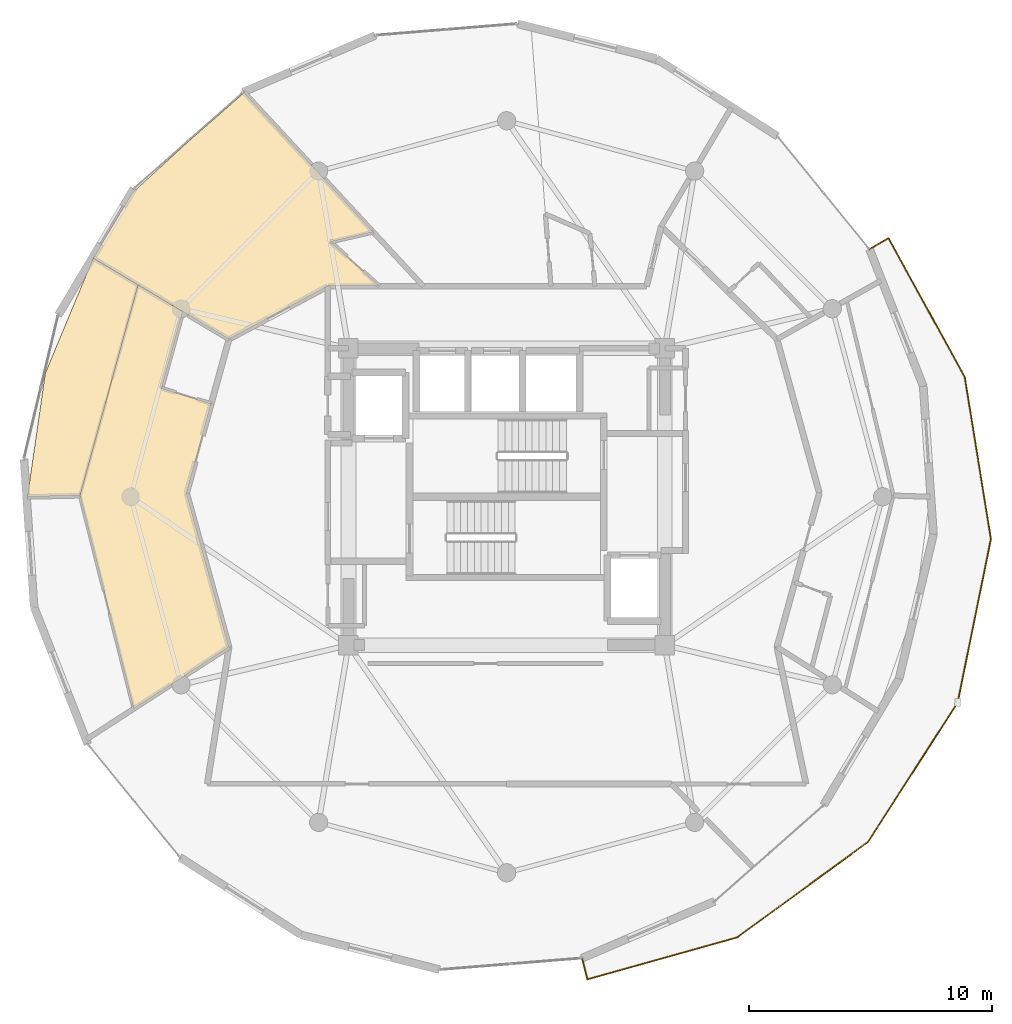
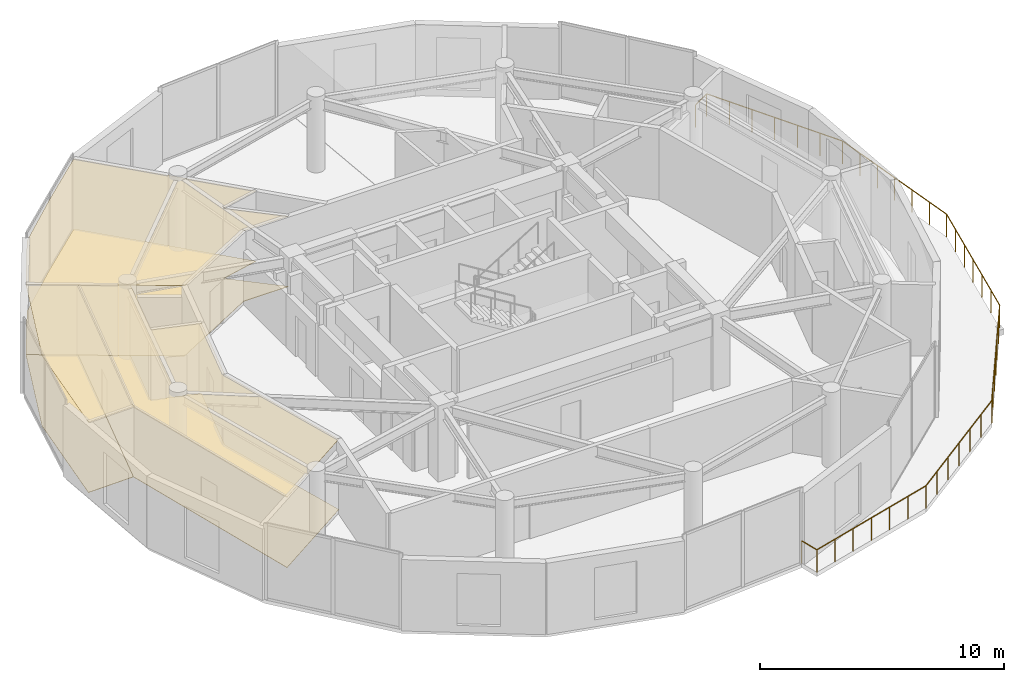
# One storey, part 21 of 22: 6 coverings, 1 railing.
"""IFC4 building model written with IfcOpenShell, lengths in metres."""

from ifc_helpers import new_model, si_unit, direction, frame, origin, origin_2d, place, context, subcontext, project, spatial, polyline, circle, outline, extrude, material, layer, layer_set, type_object, element, save


model = new_model("IFC4")

# Units and contexts
model_context = context("Model", 3, precision=1e-05, world=origin(), true_north=direction((0.0, 1.0)))
body_context = subcontext(model_context, "Body", "Model", "MODEL_VIEW")
ifc_project = project(units=[si_unit("LENGTHUNIT", "METRE"), si_unit("AREAUNIT", "SQUARE_METRE"), si_unit("VOLUMEUNIT", "CUBIC_METRE"), si_unit("PLANEANGLEUNIT", "RADIAN"), si_unit("MASSUNIT", "GRAM", prefix="KILO")], contexts=[model_context])

# Site, building, storey
site_placement = place(None, origin())
site = spatial("IfcSite", under=ifc_project, at=site_placement, CompositionType="ELEMENT")
building_placement = place(site_placement, origin())
building = spatial("IfcBuilding", under=site, at=building_placement, Name="Solvirekh Grand Hotel", CompositionType="ELEMENT")
storey_placement = place(building_placement, frame((0.0, 0.0, 293.39990234375)))
storey = spatial("IfcBuildingStorey", under=building, at=storey_placement, Name="L76", CompositionType="ELEMENT", Elevation=293.39990234375)

# Coverings
ifc_material_1 = material(Name="Acoustic Mineral Ceiling Tile")
ifc_layer_1 = layer(ifc_material_1, 0.02490234375)
ifc_layer_set_1 = layer_set([ifc_layer_1], Name="Acoustic Mineral Ceiling Tile")
covering_type_1 = type_object("IfcCoveringType", Name="Cov_Ceiling_Acoustic", PredefinedType="CEILING", material=ifc_layer_set_1)
covering_1_placement = place(storey_placement, frame((0.0, 0.0, 3.52001953125)))
element("IfcCovering", 1, at=covering_1_placement, inside=storey, type_object=covering_type_1, Name="L76 Deluxe Guestroom 7802 acoustic ceiling", PredefinedType="CEILING", context=body_context, shape_type="SweptSolid", body=[
    extrude(outline(polyline([(-5.22802734375, 8.64990234375), (-7.236083984375, 10.472900390625), (-5.48193359375, 10.8779296875), (-3.419921875, 8.64990234375), (-10.784912109375, 16.60791015625), (-13.114990234375, 14.56591796875), (-15.39794921875, 12.468994140625), (-16.986083984375, 9.806884765625), (-11.407958984375, 6.47509765625), (-7.35009765625, 8.64990234375), (-5.22802734375, 8.64990234375)])), origin(), (0.0, 0.0, 1.0), 0.01806640625),
])
covering_2_placement = place(storey_placement, frame((0.0, 0.0, 3.52001953125)))
element("IfcCovering", 2, at=covering_2_placement, inside=storey, type_object=covering_type_1, Name="L76 Executive Suite 7803 Living Room acoustic ceiling", PredefinedType="CEILING", context=body_context, shape_type="SweptSolid", body=[
    extrude(outline(polyline([(-14.174072265625, 4.4541015625), (-13.304931640625, 7.60791015625), (-15.14501953125, 8.70703125), (-17.531982421875, 0.049072265625), (-15.322998046875, -8.7119140625), (-11.407958984375, -6.175048828125), (-13.14990234375, 0.14990234375), (-12.139892578125, 3.819091796875), (-14.174072265625, 4.4541015625)])), origin(), (0.0, 0.0, 1.0), 0.01806640625),
])
covering_3_placement = place(storey_placement, frame((0.0, 0.0, 3.52001953125)))
element("IfcCovering", 3, at=covering_3_placement, inside=storey, type_object=covering_type_1, Name="L76 Executive Suite 7803 Master Bedroom acoustic ceiling", PredefinedType="CEILING", context=body_context, shape_type="SweptSolid", body=[
    extrude(outline(polyline([(-16.986083984375, 9.806884765625), (-18.9541015625, 5.0791015625), (-19.68994140625, 0.0), (-17.531982421875, 0.049072265625), (-15.14501953125, 8.70703125), (-16.986083984375, 9.806884765625)])), origin(), (0.0, 0.0, 1.0), 0.01806640625),
])
ifc_material_2 = material(Name="Porcelain Stoneware Flooring", Category="masonry")
ifc_layer_2 = layer(ifc_material_2, 0.030029296875)
ifc_layer_set_2 = layer_set([ifc_layer_2], Name="Porcelain Stoneware Flooring")
covering_type_2 = type_object("IfcCoveringType", Name="Cov_Floor_Stone", PredefinedType="FLOORING", material=ifc_layer_set_2)
covering_4_placement = place(storey_placement, origin())
element("IfcCovering", 4, at=covering_4_placement, inside=storey, type_object=covering_type_2, Name="L76 Deluxe Guestroom 7802 polished granite flooring", PredefinedType="FLOORING", context=body_context, shape_type="SweptSolid", body=[
    extrude(outline(polyline([(-5.22802734375, 8.64990234375), (-7.236083984375, 10.472900390625), (-5.48193359375, 10.8779296875), (-3.419921875, 8.64990234375), (-10.784912109375, 16.60791015625), (-13.114990234375, 14.56591796875), (-15.39794921875, 12.468994140625), (-16.986083984375, 9.806884765625), (-11.407958984375, 6.47509765625), (-7.35009765625, 8.64990234375), (-5.22802734375, 8.64990234375)])), origin(), (0.0, 0.0, 1.0), 0.02001953125),
])
covering_5_placement = place(storey_placement, origin())
element("IfcCovering", 5, at=covering_5_placement, inside=storey, type_object=covering_type_2, Name="L76 Executive Suite 7803 Living Room polished granite flooring", PredefinedType="FLOORING", context=body_context, shape_type="SweptSolid", body=[
    extrude(outline(polyline([(-14.174072265625, 4.4541015625), (-13.304931640625, 7.60791015625), (-15.14501953125, 8.70703125), (-17.531982421875, 0.049072265625), (-15.322998046875, -8.7119140625), (-11.407958984375, -6.175048828125), (-13.14990234375, 0.14990234375), (-12.139892578125, 3.819091796875), (-14.174072265625, 4.4541015625)])), origin(), (0.0, 0.0, 1.0), 0.02001953125),
])
covering_6_placement = place(storey_placement, origin())
element("IfcCovering", 6, at=covering_6_placement, inside=storey, type_object=covering_type_2, Name="L76 Executive Suite 7803 Master Bedroom polished granite flooring", PredefinedType="FLOORING", context=body_context, shape_type="SweptSolid", body=[
    extrude(outline(polyline([(-16.986083984375, 9.806884765625), (-18.9541015625, 5.0791015625), (-19.68994140625, 0.0), (-17.531982421875, 0.049072265625), (-15.14501953125, 8.70703125), (-16.986083984375, 9.806884765625)])), origin(), (0.0, 0.0, 1.0), 0.02001953125),
])

# Railing
ifc_material_3 = material(Name="Anodized Bronze Aluminium 6063-T6", Category="aluminium")
railing_type = type_object("IfcRailingType", Name="Guard_ExtGlass_1150", PredefinedType="BALUSTRADE", material=ifc_material_3)
railing_placement = place(storey_placement, frame((3.097900390625, -18.958984375, 0.0)))
element("IfcRailing", 7, at=railing_placement, inside=storey, type_object=railing_type, Name="L76 balc perimeter glass balustrade", PredefinedType="BALUSTRADE", context=body_context, shape_type="SweptSolid", body=[
    extrude(circle(Radius=0.02392578125, at=origin_2d()), frame((0.0, 0.0, 1.1259765625), z_axis=(0.241004427476, -0.970524016157, 0.0), x_axis=(0.970524016157, 0.241004427476, 0.0)), (0.0, 0.0, 1.0), 0.900634765625),
    extrude(circle(Radius=0.02392578125, at=origin_2d()), frame((0.217041015625, -0.8740234375, 1.1259765625), z_axis=(0.962917608952, 0.269795623334, 0.0), x_axis=(-0.269795623334, 0.962917608952, 0.0)), (0.0, 0.0, 1.0), 6.39404296875),
    extrude(circle(Radius=0.02392578125, at=origin_2d()), frame((6.3740234375, 0.85107421875, 1.1259765625), z_axis=(0.807967885676, 0.589226523263, 0.0), x_axis=(-0.589226523263, 0.807967885676, 0.0)), (0.0, 0.0, 1.0), 6.65771484375),
    extrude(circle(Radius=0.02392578125, at=origin_2d()), frame((11.753173828125, 4.77392578125, 1.1259765625), z_axis=(0.540444380401, 0.841379742859, 0.0), x_axis=(-0.841379742859, 0.540444380401, 0.0)), (0.0, 0.0, 1.0), 6.81640625),
    extrude(circle(Radius=0.02392578125, at=origin_2d()), frame((15.43701171875, 10.509033203125, 1.1259765625), z_axis=(0.199425756323, 0.979912938845, 0.0), x_axis=(-0.979912938845, 0.199425756323, 0.0)), (0.0, 0.0, 1.0), 6.849609375),
    extrude(circle(Radius=0.02392578125, at=origin_2d()), frame((16.802978515625, 17.220947265625, 1.1259765625), z_axis=(-0.159507816859, 0.987196665493, 0.0), x_axis=(-0.987196665493, -0.159507816859, 0.0)), (0.0, 0.0, 1.0), 6.745361328125),
    extrude(circle(Radius=0.02392578125, at=origin_2d()), frame((15.72705078125, 23.8798828125, 1.1259765625), z_axis=(-0.481694232588, 0.876339355667, 0.0), x_axis=(-0.876339355667, -0.481694232588, 0.0)), (0.0, 0.0, 1.0), 6.512451171875),
    extrude(circle(Radius=0.02392578125, at=origin_2d()), frame((12.590087890625, 29.5869140625, 1.1259765625), z_axis=(-0.863985570742, -0.503516567303, 0.0), x_axis=(0.503516567303, -0.863985570742, 0.0)), (0.0, 0.0, 1.0), 0.8994140625),
    extrude(circle(Radius=0.02099609375, at=origin_2d()), origin(), (0.0, 0.0, 1.0), 1.101806640625),
    extrude(circle(Radius=0.02099609375, at=origin_2d()), frame((0.217041015625, -0.8740234375, 0.0)), (0.0, 0.0, 1.0), 1.101806640625),
    extrude(circle(Radius=0.02099609375, at=origin_2d()), frame((1.2431640625, -0.58642578125, 0.0)), (0.0, 0.0, 1.0), 1.101806640625),
    extrude(circle(Radius=0.02099609375, at=origin_2d()), frame((2.269287109375, -0.299072265625, 0.0)), (0.0, 0.0, 1.0), 1.101806640625),
    extrude(circle(Radius=0.02099609375, at=origin_2d()), frame((3.29541015625, -0.011474609375, 0.0)), (0.0, 0.0, 1.0), 1.101806640625),
    extrude(circle(Radius=0.02099609375, at=origin_2d()), frame((4.32177734375, 0.276123046875, 0.0)), (0.0, 0.0, 1.0), 1.101806640625),
    extrude(circle(Radius=0.02099609375, at=origin_2d()), frame((5.347900390625, 0.5634765625, 0.0)), (0.0, 0.0, 1.0), 1.101806640625),
    extrude(circle(Radius=0.02099609375, at=origin_2d()), frame((6.3740234375, 0.85107421875, 0.0)), (0.0, 0.0, 1.0), 1.101806640625),
    extrude(circle(Radius=0.02099609375, at=origin_2d()), frame((7.2705078125, 1.5048828125, 0.0)), (0.0, 0.0, 1.0), 1.101806640625),
    extrude(circle(Radius=0.02099609375, at=origin_2d()), frame((8.1669921875, 2.15869140625, 0.0)), (0.0, 0.0, 1.0), 1.101806640625),
    extrude(circle(Radius=0.02099609375, at=origin_2d()), frame((9.0634765625, 2.8125, 0.0)), (0.0, 0.0, 1.0), 1.101806640625),
    extrude(circle(Radius=0.02099609375, at=origin_2d()), frame((9.960205078125, 3.46630859375, 0.0)), (0.0, 0.0, 1.0), 1.101806640625),
    extrude(circle(Radius=0.02099609375, at=origin_2d()), frame((10.856689453125, 4.1201171875, 0.0)), (0.0, 0.0, 1.0), 1.101806640625),
    extrude(circle(Radius=0.02099609375, at=origin_2d()), frame((11.753173828125, 4.77392578125, 0.0)), (0.0, 0.0, 1.0), 1.101806640625),
    extrude(circle(Radius=0.02099609375, at=origin_2d()), frame((12.3671875, 5.729736328125, 0.0)), (0.0, 0.0, 1.0), 1.101806640625),
    extrude(circle(Radius=0.02099609375, at=origin_2d()), frame((12.981201171875, 6.685546875, 0.0)), (0.0, 0.0, 1.0), 1.101806640625),
    extrude(circle(Radius=0.02099609375, at=origin_2d()), frame((13.59521484375, 7.6416015625, 0.0)), (0.0, 0.0, 1.0), 1.101806640625),
    extrude(circle(Radius=0.02099609375, at=origin_2d()), frame((14.208984375, 8.597412109375, 0.0)), (0.0, 0.0, 1.0), 1.101806640625),
    extrude(circle(Radius=0.02099609375, at=origin_2d()), frame((14.822998046875, 9.55322265625, 0.0)), (0.0, 0.0, 1.0), 1.101806640625),
    extrude(circle(Radius=0.02099609375, at=origin_2d()), frame((15.43701171875, 10.509033203125, 0.0)), (0.0, 0.0, 1.0), 1.101806640625),
    extrude(circle(Radius=0.02099609375, at=origin_2d()), frame((15.66455078125, 11.627685546875, 0.0)), (0.0, 0.0, 1.0), 1.101806640625),
    extrude(circle(Radius=0.02099609375, at=origin_2d()), frame((15.892333984375, 12.746337890625, 0.0)), (0.0, 0.0, 1.0), 1.101806640625),
    extrude(circle(Radius=0.02099609375, at=origin_2d()), frame((16.1201171875, 13.864990234375, 0.0)), (0.0, 0.0, 1.0), 1.101806640625),
    extrude(circle(Radius=0.02099609375, at=origin_2d()), frame((16.34765625, 14.983642578125, 0.0)), (0.0, 0.0, 1.0), 1.101806640625),
    extrude(circle(Radius=0.02099609375, at=origin_2d()), frame((16.5751953125, 16.102294921875, 0.0)), (0.0, 0.0, 1.0), 1.101806640625),
    extrude(circle(Radius=0.02099609375, at=origin_2d()), frame((16.802978515625, 17.220947265625, 0.0)), (0.0, 0.0, 1.0), 1.101806640625),
    extrude(circle(Radius=0.02099609375, at=origin_2d()), frame((16.62353515625, 18.330810546875, 0.0)), (0.0, 0.0, 1.0), 1.101806640625),
    extrude(circle(Radius=0.02099609375, at=origin_2d()), frame((16.4443359375, 19.440673828125, 0.0)), (0.0, 0.0, 1.0), 1.101806640625),
    extrude(circle(Radius=0.02099609375, at=origin_2d()), frame((16.26513671875, 20.55029296875, 0.0)), (0.0, 0.0, 1.0), 1.101806640625),
    extrude(circle(Radius=0.02099609375, at=origin_2d()), frame((16.085693359375, 21.66015625, 0.0)), (0.0, 0.0, 1.0), 1.101806640625),
    extrude(circle(Radius=0.02099609375, at=origin_2d()), frame((15.90625, 22.77001953125, 0.0)), (0.0, 0.0, 1.0), 1.101806640625),
    extrude(circle(Radius=0.02099609375, at=origin_2d()), frame((15.72705078125, 23.8798828125, 0.0)), (0.0, 0.0, 1.0), 1.101806640625),
    extrude(circle(Radius=0.02099609375, at=origin_2d()), frame((15.2041015625, 24.8310546875, 0.0)), (0.0, 0.0, 1.0), 1.101806640625),
    extrude(circle(Radius=0.02099609375, at=origin_2d()), frame((14.681396484375, 25.7822265625, 0.0)), (0.0, 0.0, 1.0), 1.101806640625),
    extrude(circle(Radius=0.02099609375, at=origin_2d()), frame((14.15869140625, 26.7333984375, 0.0)), (0.0, 0.0, 1.0), 1.101806640625),
    extrude(circle(Radius=0.02099609375, at=origin_2d()), frame((13.6357421875, 27.6845703125, 0.0)), (0.0, 0.0, 1.0), 1.101806640625),
    extrude(circle(Radius=0.02099609375, at=origin_2d()), frame((13.11279296875, 28.6357421875, 0.0)), (0.0, 0.0, 1.0), 1.101806640625),
    extrude(circle(Radius=0.02099609375, at=origin_2d()), frame((12.590087890625, 29.5869140625, 0.0)), (0.0, 0.0, 1.0), 1.101806640625),
    extrude(circle(Radius=0.02099609375, at=origin_2d()), frame((11.81298828125, 29.134033203125, 0.0)), (0.0, 0.0, 1.0), 1.101806640625),
])

save(model, "model.ifc")
